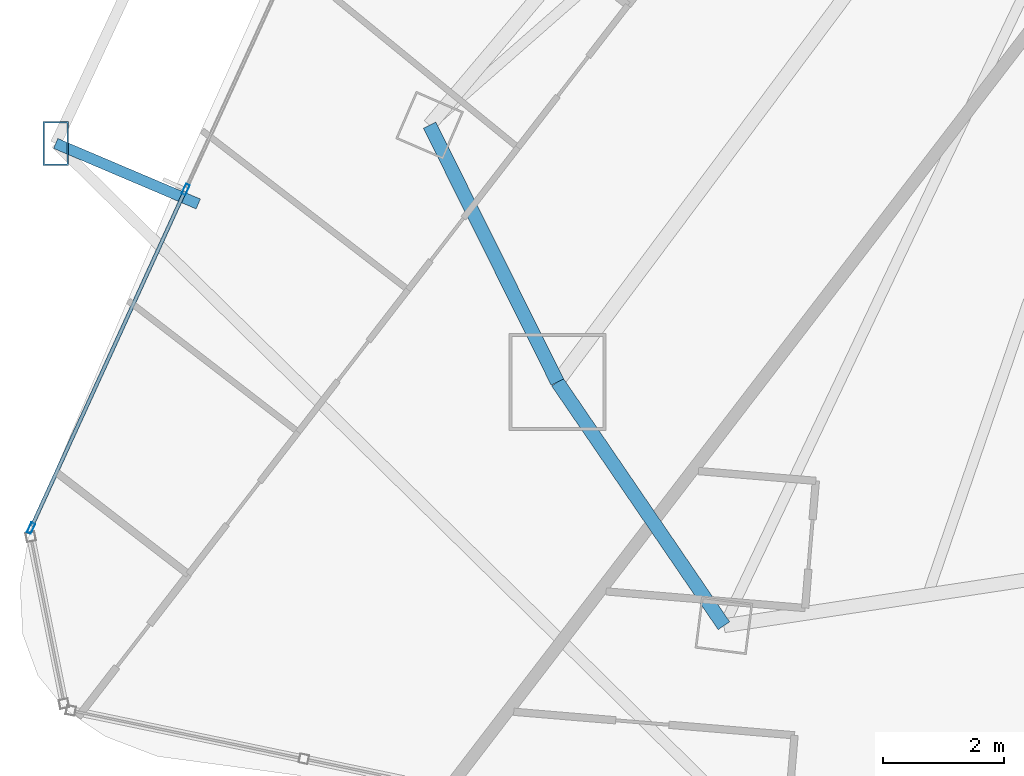
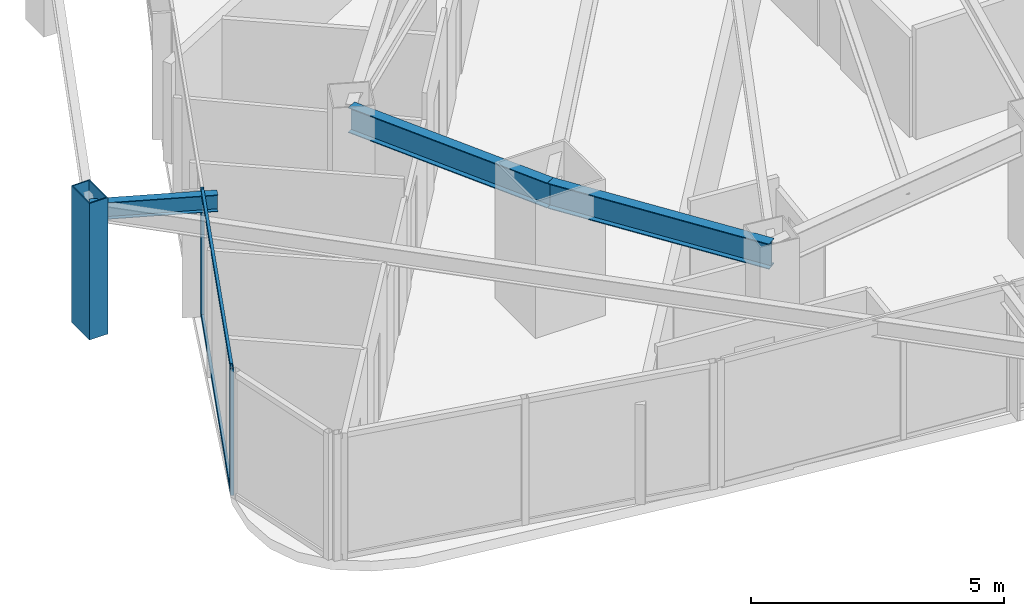
# One storey, part 5 of 34: 5 members, 3 beams, 1 element without a shape of its own.
"""IFC4 building model written with IfcOpenShell, lengths in metres."""

from ifc_helpers import new_model, si_unit, direction, frame, origin, origin_2d, place, context, subcontext, project, spatial, hollow_rectangle, i_section, extrude, material, layer, layer_set, material_profile, profile_set, type_object, element, aggregate, save


model = new_model("IFC4")

# Units and contexts
model_context = context("Model", 3, precision=1e-05, world=origin(), true_north=direction((0.0, 1.0)))
body_context = subcontext(model_context, "Body", "Model", "MODEL_VIEW")
ifc_project = project(units=[si_unit("LENGTHUNIT", "METRE"), si_unit("AREAUNIT", "SQUARE_METRE"), si_unit("VOLUMEUNIT", "CUBIC_METRE"), si_unit("PLANEANGLEUNIT", "RADIAN"), si_unit("MASSUNIT", "GRAM", prefix="KILO")], contexts=[model_context])

# Site, building, storey
site_placement = place(None, origin())
site = spatial("IfcSite", under=ifc_project, at=site_placement, CompositionType="ELEMENT")
building_placement = place(site_placement, origin())
building = spatial("IfcBuilding", under=site, at=building_placement, Name="Orvanel Arch Residences", CompositionType="ELEMENT")
storey_placement = place(building_placement, frame((0.0, 0.0, 77.449951171875)))
storey = spatial("IfcBuildingStorey", under=building, at=storey_placement, Name="L21", CompositionType="ELEMENT", Elevation=77.449951171875)

# Member
ifc_material_1 = material(Name="Structural steel AS/NZS 3678 Grade 350", Category="steel")
ifc_material_profile_1 = material_profile(ifc_material_1, hollow_rectangle(XDim=0.419921875, YDim=0.719970703125, WallThickness=0.02490234375, at=origin_2d()), Name="RHS720x420x25")
ifc_profile_set_1 = profile_set([ifc_material_profile_1], Name="Structural steel AS/NZS 3678 Grade 350")
member_type_1 = type_object("IfcMemberType", Name="CH-720RHS-EXT", PredefinedType="CHORD", material=ifc_profile_set_1)
member_1_placement = place(storey_placement, frame((5.93896484375, 14.279052734375, 0.0), z_axis=(0.0, 0.0, 1.0), x_axis=(1.0, 0.0, 0.0)))
element("IfcMember", 1, at=member_1_placement, inside=storey, type_object=member_type_1, Name="L21 Outer Perimeter Frame Post 04", PredefinedType="CHORD", context=body_context, shape_type="SweptSolid", body=[
    extrude(hollow_rectangle(XDim=0.419921875, YDim=0.719970703125, WallThickness=0.02490234375, at=origin_2d()), origin(), (0.0, 0.0, 1.0), 3.300048828125),
])

# Curtain wall, members
ifc_material_2 = material(Name="Bronze-anodised aluminium AA6063-T6", Category="aluminium")
ifc_layer = layer(ifc_material_2, 0.179931640625)
ifc_layer_set = layer_set([ifc_layer], Name="Bronze-anodised aluminium AA6063-T6")
curtain_wall_type = type_object("IfcCurtainWallType", Name="CW2-LOW-SYS", PredefinedType="NOTDEFINED", material=ifc_layer_set)
curtain_wall_placement = place(storey_placement, origin())
curtain_wall = element("IfcCurtainWall", 2, at=curtain_wall_placement, inside=storey, type_object=curtain_wall_type, Name="L21 CW2-LOW-SYS Unitised Curtain Wall", PredefinedType="NOTDEFINED")
ifc_material_profile_2 = material_profile(ifc_material_2, hollow_rectangle(XDim=0.070068359375, YDim=0.179931640625, WallThickness=0.00439453125, at=origin_2d()), Name="ALU180x70x4.5")
ifc_profile_set_2 = profile_set([ifc_material_profile_2], Name="Bronze-anodised aluminium AA6063-T6")
member_type_2 = type_object("IfcMemberType", Name="MUL-180x70", PredefinedType="MULLION", material=ifc_profile_set_2)
member_2_placement = place(storey_placement, frame((8.079345703125, 13.52197265625, 0.0), z_axis=(0.0, 0.0, 1.0), x_axis=(0.909616944848, -0.415447967434, 0.0)))
member_2 = element("IfcMember", 3, at=member_2_placement, type_object=member_type_2, Name="CW-S2 mullion 3", PredefinedType="MULLION", context=body_context, shape_type="SweptSolid", body=[
    extrude(hollow_rectangle(XDim=0.070068359375, YDim=0.179931640625, WallThickness=0.00439453125, at=origin_2d()), origin(), (0.0, 0.0, 1.0), 3.06005859375),
])
member_3_placement = place(storey_placement, frame((5.532470703125, 7.94580078125, 0.0), z_axis=(0.0, 0.0, 1.0), x_axis=(0.909616944848, -0.415447967434, 0.0)))
member_3 = element("IfcMember", 4, at=member_3_placement, type_object=member_type_2, Name="CW-S2 mullion 4", PredefinedType="MULLION", context=body_context, shape_type="SweptSolid", body=[
    extrude(hollow_rectangle(XDim=0.070068359375, YDim=0.179931640625, WallThickness=0.00439453125, at=origin_2d()), origin(), (0.0, 0.0, 1.0), 3.06005859375),
])

# Beams
ifc_material_3 = material(Name="Structural steel AS/NZS 3679.1 Grade 300 (300 MPa)", Category="steel")
ifc_material_profile_3 = material_profile(ifc_material_3, i_section(OverallWidth=0.177978515625, OverallDepth=0.406005859375, WebThickness=0.0078125, FlangeThickness=0.0126953125, at=origin_2d()), Name="410UB59.7")
ifc_profile_set_3 = profile_set([ifc_material_profile_3], Name="Structural steel AS/NZS 3679.1 Grade 300 (300 MPa)")
beam_type_1 = type_object("IfcBeamType", Name="OB-410UB-EXT", PredefinedType="SPANDREL", material=ifc_profile_set_3)
beam_1_placement = place(storey_placement, frame((8.285888671875, 13.282958984375, 2.85693359375), z_axis=(-0.920521260738, 0.39069247309, 0.0), x_axis=(-0.39069247309, -0.920521260738, 0.0)))
element("IfcBeam", 5, at=beam_1_placement, inside=storey, type_object=beam_type_1, Name="L21 Outer Frame Radial Tie Beam 04", PredefinedType="SPANDREL", context=body_context, shape_type="SweptSolid", body=[
    extrude(i_section(OverallWidth=0.177978515625, OverallDepth=0.406005859375, WebThickness=0.0078125, FlangeThickness=0.0126953125, at=origin_2d()), origin(), (0.0, 0.0, 1.0), 2.549560546875),
])
ifc_material_profile_4 = material_profile(ifc_material_3, i_section(OverallWidth=0.22900390625, OverallDepth=0.612060546875, WebThickness=0.011962890625, FlangeThickness=0.01953125, at=origin_2d()), Name="610UB125")
ifc_profile_set_4 = profile_set([ifc_material_profile_4], Name="Structural steel AS/NZS 3679.1 Grade 300 (300 MPa)")
beam_type_2 = type_object("IfcBeamType", Name="SP-610UB", PredefinedType="SPANDREL", material=ifc_profile_set_4)
beam_2_placement = place(storey_placement, frame((12.094970703125, 14.580078125, 2.754150390625), z_axis=(0.44543469453, -0.895314432425, 0.0), x_axis=(0.895314432425, 0.44543469453, 0.0)))
element("IfcBeam", 6, at=beam_2_placement, inside=storey, type_object=beam_type_2, Name="L21 Perimeter Spandrel Beam 02", PredefinedType="SPANDREL", context=body_context, shape_type="SweptSolid", body=[
    extrude(i_section(OverallWidth=0.22900390625, OverallDepth=0.612060546875, WebThickness=0.011962890625, FlangeThickness=0.01953125, at=origin_2d()), origin(), (0.0, 0.0, 1.0), 4.723388671875),
])
beam_3_placement = place(storey_placement, frame((14.198974609375, 10.35107421875, 2.754150390625), z_axis=(0.564251579852, -0.825602903722, 0.0), x_axis=(0.825602903722, 0.564251579852, 0.0)))
element("IfcBeam", 7, at=beam_3_placement, inside=storey, type_object=beam_type_2, Name="L21 Perimeter Spandrel Beam 03", PredefinedType="SPANDREL", context=body_context, shape_type="SweptSolid", body=[
    extrude(i_section(OverallWidth=0.22900390625, OverallDepth=0.612060546875, WebThickness=0.011962890625, FlangeThickness=0.01953125, at=origin_2d()), origin(), (0.0, 0.0, 1.0), 4.859375),
])

# Member
ifc_material_profile_5 = material_profile(ifc_material_2, hollow_rectangle(XDim=0.06005859375, YDim=0.135009765625, WallThickness=0.00390625, at=origin_2d()), Name="ALU135x60x4")
ifc_profile_set_5 = profile_set([ifc_material_profile_5], Name="Bronze-anodised aluminium AA6063-T6")
member_type_3 = type_object("IfcMemberType", Name="TRN-135x60", PredefinedType="USERDEFINED", material=ifc_profile_set_5)
member_4_placement = place(storey_placement, frame((8.064697265625, 13.490234375, 0.030029296875), z_axis=(-0.415432220191, -0.909624136898, 0.0), x_axis=(0.909624136898, -0.415432220191, 0.0)))
member_4 = element("IfcMember", 8, at=member_4_placement, type_object=member_type_3, Name="CW-S2 transom 3.1", ObjectType="TRANSOM", PredefinedType="USERDEFINED", context=body_context, shape_type="SweptSolid", body=[
    extrude(hollow_rectangle(XDim=0.06005859375, YDim=0.135009765625, WallThickness=0.00390625, at=origin_2d()), origin(), (0.0, 0.0, 1.0), 6.06005859375),
])

member_5_placement = place(storey_placement, frame((8.064697265625, 13.490234375, 3.030029296875), z_axis=(-0.415432220191, -0.909624136898, 0.0), x_axis=(0.909624136898, -0.415432220191, 0.0)))
member_5 = element("IfcMember", 9, at=member_5_placement, type_object=member_type_3, Name="CW-S2 transom 3.2", ObjectType="TRANSOM", PredefinedType="USERDEFINED", context=body_context, shape_type="SweptSolid", body=[
    extrude(hollow_rectangle(XDim=0.06005859375, YDim=0.135009765625, WallThickness=0.00390625, at=origin_2d()), origin(), (0.0, 0.0, 1.0), 6.06005859375),
])

aggregate(curtain_wall, [member_2, member_3, member_4, member_5])

save(model, "model.ifc")
